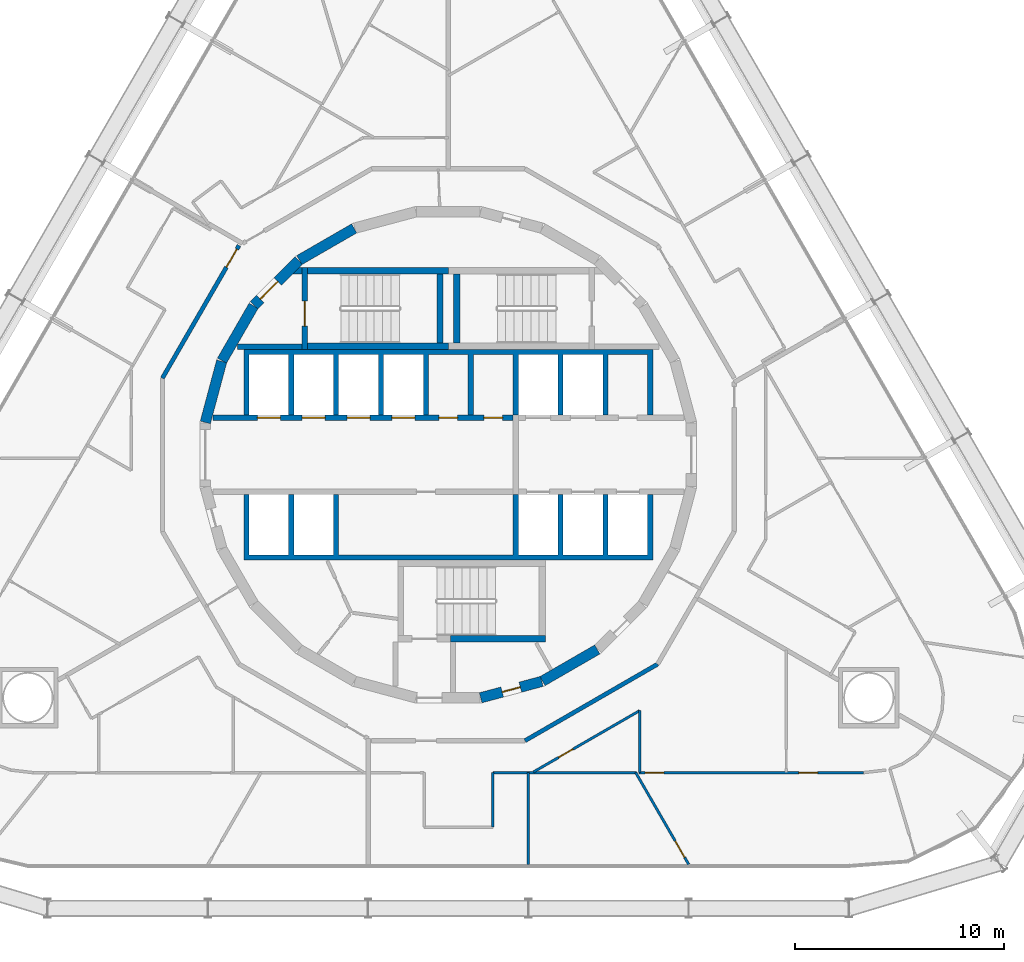
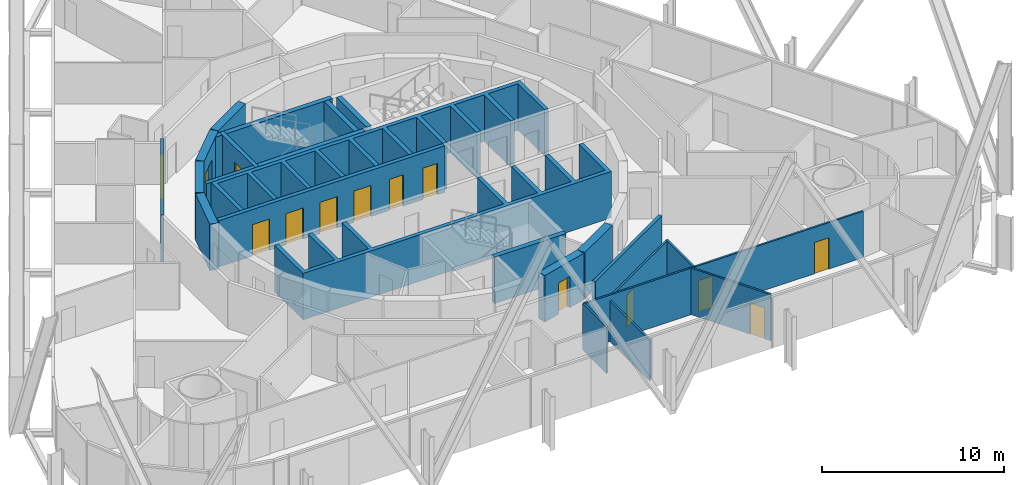
# One storey, part 16 of 21: 26 walls, 14 doors, 14 openings.
"""IFC4 building model written with IfcOpenShell, lengths in metres."""

from ifc_helpers import new_model, si_unit, direction, frame, frame_2d, origin, place, context, subcontext, project, spatial, polyline, rectangle, outline, extrude, material, layer, layer_set, type_object, element, fill, save


model = new_model("IFC4")

# Units and contexts
model_context = context("Model", 3, precision=1e-05, world=origin(), true_north=direction((0.0, 1.0)))
body_context = subcontext(model_context, "Body", "Model", "MODEL_VIEW")
ifc_project = project(units=[si_unit("LENGTHUNIT", "METRE"), si_unit("AREAUNIT", "SQUARE_METRE"), si_unit("VOLUMEUNIT", "CUBIC_METRE"), si_unit("PLANEANGLEUNIT", "RADIAN"), si_unit("MASSUNIT", "GRAM", prefix="KILO")], contexts=[model_context])

# Site, building, storey
site_placement = place(None, origin())
site = spatial("IfcSite", under=ifc_project, at=site_placement, CompositionType="ELEMENT")
building_placement = place(site_placement, origin())
building = spatial("IfcBuilding", under=site, at=building_placement, Name="Spindle Arch Residences", CompositionType="ELEMENT")
storey_placement = place(building_placement, frame((0.0, 0.0, 38.39990234375)))
storey = spatial("IfcBuildingStorey", under=building, at=storey_placement, Name="L07", CompositionType="ELEMENT", Elevation=38.39990234375)

# Wall, opening, door
ifc_material_1 = material(Name="Concrete C50/60", Category="concrete")
ifc_layer_1 = layer(ifc_material_1, 0.5)
ifc_layer_set_1 = layer_set([ifc_layer_1], Name="Core outline wall 500")
wall_type_1 = type_object("IfcWallType", Name="Core outline wall 500", PredefinedType="SHEAR", material=ifc_layer_set_1)
wall_1_placement = place(storey_placement, frame((1.5498046875, -11.642822265625, 0.0), z_axis=(0.0, 0.0, 1.0), x_axis=(0.965948410781, 0.258734743916, 0.0)))
wall_1 = element("IfcWall", 1, at=wall_1_placement, inside=storey, type_object=wall_type_1, Name="Core outline wall 1", PredefinedType="SHEAR", context=body_context, shape_type="SweptSolid", body=[
    extrude(rectangle(XDim=3.03271484375, YDim=0.5, at=frame_2d((1.516357421875, 0.0))), origin(), (0.0, 0.0, 1.0), 3.1201171875),
])
opening_1_placement = place(wall_1_placement, frame((1.06640625, 0.0, 0.0)))
opening_1 = element("IfcOpeningElement", 2, at=opening_1_placement, cuts=wall_1, Name="Opening R1A0-WD08", PredefinedType="OPENING", context=body_context, shape_type="SweptSolid", body=[
    extrude(rectangle(XDim=0.89990234375, YDim=2.10009765625, at=frame_2d((0.449951171875, 1.050048828125))), frame((0.0, 0.260009765625, 0.0), z_axis=(0.0, -1.0, 0.0), x_axis=(1.0, 0.0, 0.0)), (0.0, 0.0, 1.0), 0.52001953125),
])
ifc_material_2 = material(Name="Steel, fire-resisting door", Category="steel")
door_type_1 = type_object("IfcDoorType", Name="Service room door 900x2100", OperationType="SINGLE_SWING_LEFT", PredefinedType="DOOR", material=ifc_material_2)
door_1_placement = place(opening_1_placement, origin())
door_1 = element("IfcDoor", 3, at=door_1_placement, inside=storey, type_object=door_type_1, Name="Service room door R1A0-WD08", OperationType="SINGLE_SWING_LEFT", OverallHeight=2.10009765625, OverallWidth=0.89990234375, PredefinedType="DOOR", context=body_context, shape_type="SweptSolid", body=[
    extrude(rectangle(XDim=0.89990234375, YDim=2.10009765625, at=frame_2d((0.449951171875, 1.050048828125))), frame((0.0, 0.02490234375, 0.0), z_axis=(0.0, -1.0, 0.0), x_axis=(1.0, 0.0, 0.0)), (0.0, 0.0, 1.0), 0.050048828125),
])
fill(opening_1, door_1)

# Walls
for number, where, z_axis, x_axis, name in (
    (4, (4.510498046875, -10.84521484375, 0.0), (0.0, 0.0, 1.0), (0.865975092491, 0.500087131594, 0.0), "Core outline wall 2"),
    (5, (-4.510498046875, 10.84521484375, 0.0), (0.0, 0.0, 1.0), (-0.865975092491, -0.500087131594, 0.0), "Core outline wall 14"),
):
    element("IfcWall", number, at=place(storey_placement, frame(where, z_axis=z_axis, x_axis=x_axis)), inside=storey, type_object=wall_type_1, Name=name, PredefinedType="SHEAR", context=body_context, shape_type="SweptSolid", body=[
        extrude(rectangle(XDim=3.03271484375, YDim=0.5, at=frame_2d((1.516357421875, 0.0))), origin(), (0.0, 0.0, 1.0), 3.1201171875),
    ])

# Wall, opening, door
wall_2_placement = place(storey_placement, frame((-7.163818359375, 9.30810546875, 0.0), z_axis=(0.0, 0.0, 1.0), x_axis=(-0.707106781187, -0.707106781187, 0.0)))
wall_2 = element("IfcWall", 6, at=wall_2_placement, inside=storey, type_object=wall_type_1, Name="Core outline wall 15", PredefinedType="SHEAR", context=body_context, shape_type="SweptSolid", body=[
    extrude(rectangle(XDim=3.032470703125, YDim=0.5, at=frame_2d((1.51611328125, 0.0))), origin(), (0.0, 0.0, 1.0), 3.1201171875),
])
opening_2_placement = place(wall_2_placement, frame((1.416259765625, 0.0, 0.0)))
opening_2 = element("IfcOpeningElement", 7, at=opening_2_placement, cuts=wall_2, Name="Opening R1A0-AD02", PredefinedType="OPENING", context=body_context, shape_type="SweptSolid", body=[
    extrude(rectangle(XDim=1.199951171875, YDim=2.10009765625, at=frame_2d((0.60009765625, 1.050048828125))), frame((0.0, 0.260009765625, 0.0), z_axis=(0.0, -1.0, 0.0), x_axis=(1.0, 0.0, 0.0)), (0.0, 0.0, 1.0), 0.52001953125),
])
ifc_material_3 = material(Name="Steel, fire-resisting door", Category="steel")
door_type_2 = type_object("IfcDoorType", Name="Stair airlock door 1200x2100", OperationType="SINGLE_SWING_LEFT", PredefinedType="DOOR", material=ifc_material_3)
door_2_placement = place(opening_2_placement, origin())
door_2 = element("IfcDoor", 8, at=door_2_placement, inside=storey, type_object=door_type_2, Name="Stair airlock door R1A0-AD02", OperationType="SINGLE_SWING_RIGHT", OverallHeight=2.10009765625, OverallWidth=1.199951171875, PredefinedType="DOOR", context=body_context, shape_type="SweptSolid", body=[
    extrude(rectangle(XDim=1.199951171875, YDim=2.10009765625, at=frame_2d((0.60009765625, 1.050048828125))), frame((0.0, 0.02490234375, 0.0), z_axis=(0.0, -1.0, 0.0), x_axis=(1.0, 0.0, 0.0)), (0.0, 0.0, 1.0), 0.050048828125),
])
fill(opening_2, door_2)

# Walls
for number, where, z_axis, x_axis, name in (
    (9, (-9.32861328125, 7.13671875, 0.0), (0.0, 0.0, 1.0), (-0.500087131594, -0.865975092491, 0.0), "Core outline wall 16"),
    (10, (-10.858154296875, 4.479248046875, 0.0), (0.0, 0.0, 1.0), (-0.258734743916, -0.965948410781, 0.0), "Core outline wall 17"),
):
    element("IfcWall", number, at=place(storey_placement, frame(where, z_axis=z_axis, x_axis=x_axis)), inside=storey, type_object=wall_type_1, Name=name, PredefinedType="SHEAR", context=body_context, shape_type="SweptSolid", body=[
        extrude(rectangle(XDim=3.03271484375, YDim=0.5, at=frame_2d((1.516357421875, 0.0))), origin(), (0.0, 0.0, 1.0), 3.1201171875),
    ])

# Wall, opening, door
ifc_material_4 = material(Name="Calcium silicate block, plastered")
ifc_layer_2 = layer(ifc_material_4, 0.199951171875)
ifc_layer_set_2 = layer_set([ifc_layer_2], Name="Corridor wall 200")
wall_type_2 = type_object("IfcWallType", Name="Corridor wall 200", PredefinedType="STANDARD", material=ifc_layer_set_2)
wall_3_placement = place(storey_placement, frame((-10.029052734375, 10.029052734375, 0.0), z_axis=(0.0, 0.0, 1.0), x_axis=(-0.500001669485, -0.866024439905, 0.0)))
wall_3 = element("IfcWall", 11, at=wall_3_placement, inside=storey, type_object=wall_type_2, Name="Corridor wall R1A0-W010", PredefinedType="STANDARD", context=body_context, shape_type="SweptSolid", body=[
    extrude(rectangle(XDim=7.341796875, YDim=0.199951171875, at=frame_2d((3.6708984375, 0.0))), origin(), (0.0, 0.0, 1.0), 3.1201171875),
])
opening_3_placement = place(wall_3_placement, frame((0.199951171875, 0.0, 0.0)))
opening_3 = element("IfcOpeningElement", 12, at=opening_3_placement, cuts=wall_3, Name="Opening R1A0-FD03", PredefinedType="OPENING", context=body_context, shape_type="SweptSolid", body=[
    extrude(rectangle(XDim=1.0, YDim=2.10009765625, at=frame_2d((0.5, 1.050048828125))), frame((0.0, 0.10986328125, 0.0), z_axis=(0.0, -1.0, 0.0), x_axis=(1.0, 0.0, 0.0)), (0.0, 0.0, 1.0), 0.219970703125),
])
ifc_material_5 = material(Name="Timber, fire-resisting door set", Category="wood")
door_type_3 = type_object("IfcDoorType", Name="Flat entrance door 1000x2100", OperationType="NOTDEFINED", PredefinedType="DOOR", material=ifc_material_5)
door_3_placement = place(opening_3_placement, origin())
door_3 = element("IfcDoor", 13, at=door_3_placement, inside=storey, type_object=door_type_3, Name="Flat entrance door R1A0-FD03", OperationType="SINGLE_SWING_LEFT", OverallHeight=2.10009765625, OverallWidth=1.0, PredefinedType="DOOR", context=body_context, shape_type="SweptSolid", body=[
    extrude(rectangle(XDim=1.0, YDim=2.10009765625, at=frame_2d((0.5, 1.050048828125))), frame((0.0, 0.02490234375, 0.0), z_axis=(0.0, -1.0, 0.0), x_axis=(1.0, 0.0, 0.0)), (0.0, 0.0, 1.0), 0.050048828125),
])
fill(opening_3, door_3)

# Walls
wall_4_placement = place(storey_placement, frame((3.6708984375, -13.699951171875, 0.0), z_axis=(0.0, 0.0, 1.0), x_axis=(0.866024439905, 0.500001669485, 0.0)))
element("IfcWall", 14, at=wall_4_placement, inside=storey, type_object=wall_type_2, Name="Corridor wall R1A0-W015", PredefinedType="STANDARD", context=body_context, shape_type="SweptSolid", body=[
    extrude(rectangle(XDim=7.341796875, YDim=0.199951171875, at=frame_2d((3.6708984375, 0.0))), origin(), (0.0, 0.0, 1.0), 3.1201171875),
])
ifc_material_6 = material(Name="Plasterboard on steel studs", Category="steel")
ifc_layer_3 = layer(ifc_material_6, 0.1201171875)
ifc_layer_set_3 = layer_set([ifc_layer_3], Name="Flat partition 120")
wall_type_3 = type_object("IfcWallType", Name="Flat partition 120", PredefinedType="PARTITIONING", material=ifc_layer_set_3)
wall_5_placement = place(storey_placement, frame((2.138671875, -17.844970703125, 0.0), z_axis=(0.0, 0.0, 1.0), x_axis=(0.0, 1.0, 0.0)))
element("IfcWall", 15, at=wall_5_placement, inside=storey, type_object=wall_type_3, Name="Flat partition R1A0-W087", PredefinedType="PARTITIONING", context=body_context, shape_type="SweptSolid", body=[
    extrude(rectangle(XDim=2.614990234375, YDim=0.1201171875, at=frame_2d((1.3076171875, 0.0))), origin(), (0.0, 0.0, 1.0), 3.1201171875),
])
wall_6_placement = place(storey_placement, frame((2.138671875, -15.22998046875, 0.0), z_axis=(0.0, 0.0, 1.0), x_axis=(1.0, 0.0, 0.0)))
element("IfcWall", 16, at=wall_6_placement, inside=storey, type_object=wall_type_3, Name="Flat partition R1A0-W088", PredefinedType="PARTITIONING", context=body_context, shape_type="SweptSolid", body=[
    extrude(rectangle(XDim=6.88720703125, YDim=0.1201171875, at=frame_2d((3.443603515625, 0.0))), origin(), (0.0, 0.0, 1.0), 3.1201171875),
])

# Wall, opening, door
wall_7_placement = place(storey_placement, frame((4.07275390625, -15.199951171875, 0.0), z_axis=(0.0, 0.0, 1.0), x_axis=(0.866034128446, 0.499984888139, 0.0)))
wall_7 = element("IfcWall", 17, at=wall_7_placement, inside=storey, type_object=wall_type_3, Name="Flat partition R1A0-W089", PredefinedType="PARTITIONING", context=body_context, shape_type="SweptSolid", body=[
    extrude(rectangle(XDim=5.878662109375, YDim=0.1201171875, at=frame_2d((2.939453125, 0.0))), origin(), (0.0, 0.0, 1.0), 3.1201171875),
])
opening_4_placement = place(wall_7_placement, frame((1.39990234375, 0.0, 0.0)))
opening_4 = element("IfcOpeningElement", 18, at=opening_4_placement, cuts=wall_7, Name="Opening R1A0-BD06", PredefinedType="OPENING", context=body_context, shape_type="SweptSolid", body=[
    extrude(rectangle(XDim=0.800048828125, YDim=2.10009765625, at=frame_2d((0.39990234375, 1.050048828125))), frame((0.0, 0.070068359375, 0.0), z_axis=(0.0, -1.0, 0.0), x_axis=(1.0, 0.0, 0.0)), (0.0, 0.0, 1.0), 0.14013671875),
])
ifc_material_7 = material(Name="Timber door set", Category="wood")
door_type_4 = type_object("IfcDoorType", Name="Bathroom door 800x2100", OperationType="NOTDEFINED", PredefinedType="DOOR", material=ifc_material_7)
door_4_placement = place(opening_4_placement, origin())
door_4 = element("IfcDoor", 19, at=door_4_placement, inside=storey, type_object=door_type_4, Name="Bathroom door R1A0-BD06", OperationType="SINGLE_SWING_RIGHT", OverallHeight=2.10009765625, OverallWidth=0.800048828125, PredefinedType="DOOR", context=body_context, shape_type="SweptSolid", body=[
    extrude(rectangle(XDim=0.800048828125, YDim=2.10009765625, at=frame_2d((0.39990234375, 1.050048828125))), frame((0.0, 0.02490234375, 0.0), z_axis=(0.0, -1.0, 0.0), x_axis=(1.0, 0.0, 0.0)), (0.0, 0.0, 1.0), 0.050048828125),
])
fill(opening_4, door_4)

# Wall
wall_8_placement = place(storey_placement, frame((9.163818359375, -12.2607421875, 0.0), z_axis=(0.0, 0.0, 1.0), x_axis=(0.0, -1.0, 0.0)))
element("IfcWall", 20, at=wall_8_placement, inside=storey, type_object=wall_type_3, Name="Flat partition R1A0-W090", PredefinedType="PARTITIONING", context=body_context, shape_type="SweptSolid", body=[
    extrude(rectangle(XDim=2.96923828125, YDim=0.1201171875, at=frame_2d((1.484619140625, 0.0))), origin(), (0.0, 0.0, 1.0), 3.1201171875),
])

# Wall, openings, doors
wall_9_placement = place(storey_placement, frame((9.123779296875, -15.22998046875, 0.0), z_axis=(0.0, 0.0, 1.0), x_axis=(1.0, 0.0, 0.0)))
wall_9 = element("IfcWall", 21, at=wall_9_placement, inside=storey, type_object=wall_type_3, Name="Flat partition R1A0-W091", PredefinedType="PARTITIONING", context=body_context, shape_type="SweptSolid", body=[
    extrude(rectangle(XDim=10.763671875, YDim=0.1201171875, at=frame_2d((5.3818359375, 0.0))), origin(), (0.0, 0.0, 1.0), 3.1201171875),
])
opening_5_placement = place(wall_9_placement, frame((0.300048828125, 0.0, 0.0)))
opening_5 = element("IfcOpeningElement", 22, at=opening_5_placement, cuts=wall_9, Name="Opening R1A0-ID25", PredefinedType="OPENING", context=body_context, shape_type="SweptSolid", body=[
    extrude(rectangle(XDim=0.89990234375, YDim=2.10009765625, at=frame_2d((0.449951171875, 1.050048828125))), frame((0.0, 0.070068359375, 0.0), z_axis=(0.0, -1.0, 0.0), x_axis=(1.0, 0.0, 0.0)), (0.0, 0.0, 1.0), 0.14013671875),
])
opening_6_placement = place(wall_9_placement, frame((7.665283203125, 0.0, 0.0)))
opening_6 = element("IfcOpeningElement", 23, at=opening_6_placement, cuts=wall_9, Name="Opening R1A0-ID29", PredefinedType="OPENING", context=body_context, shape_type="SweptSolid", body=[
    extrude(rectangle(XDim=0.89990234375, YDim=2.10009765625, at=frame_2d((0.449951171875, 1.050048828125))), frame((0.0, 0.070068359375, 0.0), z_axis=(0.0, -1.0, 0.0), x_axis=(1.0, 0.0, 0.0)), (0.0, 0.0, 1.0), 0.14013671875),
])
ifc_material_8 = material(Name="Timber door set", Category="wood")
door_type_5 = type_object("IfcDoorType", Name="Room door 900x2100", OperationType="NOTDEFINED", PredefinedType="DOOR", material=ifc_material_8)
door_5_placement = place(opening_5_placement, origin())
door_5 = element("IfcDoor", 24, at=door_5_placement, inside=storey, type_object=door_type_5, Name="Room door R1A0-ID25", OperationType="SINGLE_SWING_RIGHT", OverallHeight=2.10009765625, OverallWidth=0.89990234375, PredefinedType="DOOR", context=body_context, shape_type="SweptSolid", body=[
    extrude(rectangle(XDim=0.89990234375, YDim=2.10009765625, at=frame_2d((0.449951171875, 1.050048828125))), frame((0.0, 0.02490234375, 0.0), z_axis=(0.0, -1.0, 0.0), x_axis=(1.0, 0.0, 0.0)), (0.0, 0.0, 1.0), 0.050048828125),
])
fill(opening_5, door_5)
door_6_placement = place(opening_6_placement, origin())
door_6 = element("IfcDoor", 25, at=door_6_placement, inside=storey, type_object=door_type_5, Name="Room door R1A0-ID29", OperationType="SINGLE_SWING_LEFT", OverallHeight=2.10009765625, OverallWidth=0.89990234375, PredefinedType="DOOR", context=body_context, shape_type="SweptSolid", body=[
    extrude(rectangle(XDim=0.89990234375, YDim=2.10009765625, at=frame_2d((0.449951171875, 1.050048828125))), frame((0.0, 0.02490234375, 0.0), z_axis=(0.0, -1.0, 0.0), x_axis=(1.0, 0.0, 0.0)), (0.0, 0.0, 1.0), 0.050048828125),
])
fill(opening_6, door_6)

# Wall, opening, door
wall_10_placement = place(storey_placement, frame((11.52001953125, -19.6298828125, 0.0), z_axis=(0.0, 0.0, 1.0), x_axis=(-0.499999763888, 0.866025540104, 0.0)))
wall_10 = element("IfcWall", 26, at=wall_10_placement, inside=storey, type_object=wall_type_3, Name="Flat partition R1A0-W094", PredefinedType="PARTITIONING", context=body_context, shape_type="SweptSolid", body=[
    extrude(rectangle(XDim=5.08056640625, YDim=0.1201171875, at=frame_2d((2.540283203125, 0.0))), origin(), (0.0, 0.0, 1.0), 3.1201171875),
])
opening_7_placement = place(wall_10_placement, frame((0.39990234375, 0.0, 0.0)))
opening_7 = element("IfcOpeningElement", 27, at=opening_7_placement, cuts=wall_10, Name="Opening R1A0-ID27", PredefinedType="OPENING", context=body_context, shape_type="SweptSolid", body=[
    extrude(rectangle(XDim=0.89990234375, YDim=2.10009765625, at=frame_2d((0.449951171875, 1.050048828125))), frame((0.0, 0.070068359375, 0.0), z_axis=(0.0, -1.0, 0.0), x_axis=(1.0, 0.0, 0.0)), (0.0, 0.0, 1.0), 0.14013671875),
])
door_7_placement = place(opening_7_placement, origin())
door_7 = element("IfcDoor", 28, at=door_7_placement, inside=storey, type_object=door_type_5, Name="Room door R1A0-ID27", OperationType="SINGLE_SWING_LEFT", OverallHeight=2.10009765625, OverallWidth=0.89990234375, PredefinedType="DOOR", context=body_context, shape_type="SweptSolid", body=[
    extrude(rectangle(XDim=0.89990234375, YDim=2.10009765625, at=frame_2d((0.449951171875, 1.050048828125))), frame((0.0, 0.02490234375, 0.0), z_axis=(0.0, -1.0, 0.0), x_axis=(1.0, 0.0, 0.0)), (0.0, 0.0, 1.0), 0.050048828125),
])
fill(opening_7, door_7)

# Wall
ifc_material_9 = material(Name="Plasterboard on steel studs", Category="steel")
ifc_layer_4 = layer(ifc_material_9, 0.1201171875)
ifc_layer_set_4 = layer_set([ifc_layer_4], Name="Flat partition 120 under beam 2730")
wall_type_4 = type_object("IfcWallType", Name="Flat partition 120 under beam 2730", PredefinedType="PARTITIONING", material=ifc_layer_set_4)
wall_11_placement = place(storey_placement, frame((3.840087890625, -19.6298828125, 0.0), z_axis=(0.0, 0.0, 1.0), x_axis=(0.0, 1.0, 0.0)))
element("IfcWall", 29, at=wall_11_placement, inside=storey, type_object=wall_type_4, Name="Flat partition R1A0-W093", PredefinedType="PARTITIONING", context=body_context, shape_type="SweptSolid", body=[
    extrude(rectangle(XDim=4.39990234375, YDim=0.1201171875, at=frame_2d((2.199951171875, 0.0))), origin(), (0.0, 0.0, 1.0), 2.72998046875),
])

# Wall, openings, doors
ifc_material_10 = material(Name="Concrete C50/60", Category="concrete")
ifc_layer_5 = layer(ifc_material_10, 0.25)
ifc_layer_set_5 = layer_set([ifc_layer_5], Name="Lift shaft wall 250")
wall_type_5 = type_object("IfcWallType", Name="Lift shaft wall 250", PredefinedType="SHEAR", material=ifc_layer_set_5)
wall_12_placement = place(storey_placement, frame((-11.280029296875, 1.77490234375, 0.0), z_axis=(0.0, 0.0, 1.0), x_axis=(1.0, 0.0, 0.0)))
wall_12 = element("IfcWall", 30, at=wall_12_placement, inside=storey, type_object=wall_type_5, Name="Lift shaft front wall NW", PredefinedType="SHEAR", context=body_context, shape_type="SweptSolid", body=[
    extrude(rectangle(XDim=14.380126953125, YDim=0.25, at=frame_2d((7.18994140625, 0.0))), origin(), (0.0, 0.0, 1.0), 3.1201171875),
])
opening_8_placement = place(wall_12_placement, frame((2.1298828125, 0.0, 0.0)))
opening_8 = element("IfcOpeningElement", 31, at=opening_8_placement, cuts=wall_12, Name="Opening R1A0-LD01", PredefinedType="OPENING", context=body_context, shape_type="SweptSolid", body=[
    extrude(rectangle(XDim=1.10009765625, YDim=2.10009765625, at=frame_2d((0.550048828125, 1.050048828125))), frame((0.0, 0.135009765625, 0.0), z_axis=(0.0, -1.0, 0.0), x_axis=(1.0, 0.0, 0.0)), (0.0, 0.0, 1.0), 0.27001953125),
])
opening_9_placement = place(wall_12_placement, frame((4.280029296875, 0.0, 0.0)))
opening_9 = element("IfcOpeningElement", 32, at=opening_9_placement, cuts=wall_12, Name="Opening R1A0-LD02", PredefinedType="OPENING", context=body_context, shape_type="SweptSolid", body=[
    extrude(rectangle(XDim=1.10009765625, YDim=2.10009765625, at=frame_2d((0.550048828125, 1.050048828125))), frame((0.0, 0.135009765625, 0.0), z_axis=(0.0, -1.0, 0.0), x_axis=(1.0, 0.0, 0.0)), (0.0, 0.0, 1.0), 0.27001953125),
])
opening_10_placement = place(wall_12_placement, frame((6.429931640625, 0.0, 0.0)))
opening_10 = element("IfcOpeningElement", 33, at=opening_10_placement, cuts=wall_12, Name="Opening R1A0-LD03", PredefinedType="OPENING", context=body_context, shape_type="SweptSolid", body=[
    extrude(rectangle(XDim=1.10009765625, YDim=2.10009765625, at=frame_2d((0.550048828125, 1.050048828125))), frame((0.0, 0.135009765625, 0.0), z_axis=(0.0, -1.0, 0.0), x_axis=(1.0, 0.0, 0.0)), (0.0, 0.0, 1.0), 0.27001953125),
])
opening_11_placement = place(wall_12_placement, frame((8.580078125, 0.0, 0.0)))
opening_11 = element("IfcOpeningElement", 34, at=opening_11_placement, cuts=wall_12, Name="Opening R1A0-LD04", PredefinedType="OPENING", context=body_context, shape_type="SweptSolid", body=[
    extrude(rectangle(XDim=1.10009765625, YDim=2.10009765625, at=frame_2d((0.550048828125, 1.050048828125))), frame((0.0, 0.135009765625, 0.0), z_axis=(0.0, -1.0, 0.0), x_axis=(1.0, 0.0, 0.0)), (0.0, 0.0, 1.0), 0.27001953125),
])
opening_12_placement = place(wall_12_placement, frame((10.830078125, 0.0, 0.0)))
opening_12 = element("IfcOpeningElement", 35, at=opening_12_placement, cuts=wall_12, Name="Opening R1A0-WD01", PredefinedType="OPENING", context=body_context, shape_type="SweptSolid", body=[
    extrude(rectangle(XDim=0.89990234375, YDim=2.10009765625, at=frame_2d((0.449951171875, 1.050048828125))), frame((0.0, 0.135009765625, 0.0), z_axis=(0.0, -1.0, 0.0), x_axis=(1.0, 0.0, 0.0)), (0.0, 0.0, 1.0), 0.27001953125),
])
opening_13_placement = place(wall_12_placement, frame((12.97998046875, 0.0, 0.0)))
opening_13 = element("IfcOpeningElement", 36, at=opening_13_placement, cuts=wall_12, Name="Opening R1A0-WD02", PredefinedType="OPENING", context=body_context, shape_type="SweptSolid", body=[
    extrude(rectangle(XDim=0.89990234375, YDim=2.10009765625, at=frame_2d((0.449951171875, 1.050048828125))), frame((0.0, 0.135009765625, 0.0), z_axis=(0.0, -1.0, 0.0), x_axis=(1.0, 0.0, 0.0)), (0.0, 0.0, 1.0), 0.27001953125),
])
ifc_material_11 = material(Name="Steel, fire-resisting landing door", Category="steel")
door_type_6 = type_object("IfcDoorType", Name="Lift landing door 1100x2100", OperationType="DOUBLE_DOOR_SLIDING", PredefinedType="DOOR", material=ifc_material_11)
door_8_placement = place(opening_8_placement, origin())
door_8 = element("IfcDoor", 37, at=door_8_placement, inside=storey, type_object=door_type_6, Name="Lift landing door R1A0-LD01", OperationType="DOUBLE_DOOR_SLIDING", OverallHeight=2.10009765625, OverallWidth=1.10009765625, PredefinedType="DOOR", context=body_context, shape_type="SweptSolid", body=[
    extrude(rectangle(XDim=1.10009765625, YDim=2.10009765625, at=frame_2d((0.550048828125, 1.050048828125))), frame((0.0, 0.02490234375, 0.0), z_axis=(0.0, -1.0, 0.0), x_axis=(1.0, 0.0, 0.0)), (0.0, 0.0, 1.0), 0.050048828125),
])
fill(opening_8, door_8)
door_9_placement = place(opening_9_placement, origin())
door_9 = element("IfcDoor", 38, at=door_9_placement, inside=storey, type_object=door_type_6, Name="Lift landing door R1A0-LD02", OperationType="DOUBLE_DOOR_SLIDING", OverallHeight=2.10009765625, OverallWidth=1.10009765625, PredefinedType="DOOR", context=body_context, shape_type="SweptSolid", body=[
    extrude(rectangle(XDim=1.10009765625, YDim=2.10009765625, at=frame_2d((0.550048828125, 1.050048828125))), frame((0.0, 0.02490234375, 0.0), z_axis=(0.0, -1.0, 0.0), x_axis=(1.0, 0.0, 0.0)), (0.0, 0.0, 1.0), 0.050048828125),
])
fill(opening_9, door_9)
door_10_placement = place(opening_10_placement, origin())
door_10 = element("IfcDoor", 39, at=door_10_placement, inside=storey, type_object=door_type_6, Name="Lift landing door R1A0-LD03", OperationType="DOUBLE_DOOR_SLIDING", OverallHeight=2.10009765625, OverallWidth=1.10009765625, PredefinedType="DOOR", context=body_context, shape_type="SweptSolid", body=[
    extrude(rectangle(XDim=1.10009765625, YDim=2.10009765625, at=frame_2d((0.550048828125, 1.050048828125))), frame((0.0, 0.02490234375, 0.0), z_axis=(0.0, -1.0, 0.0), x_axis=(1.0, 0.0, 0.0)), (0.0, 0.0, 1.0), 0.050048828125),
])
fill(opening_10, door_10)
door_11_placement = place(opening_11_placement, origin())
door_11 = element("IfcDoor", 40, at=door_11_placement, inside=storey, type_object=door_type_6, Name="Lift landing door R1A0-LD04", OperationType="DOUBLE_DOOR_SLIDING", OverallHeight=2.10009765625, OverallWidth=1.10009765625, PredefinedType="DOOR", context=body_context, shape_type="SweptSolid", body=[
    extrude(rectangle(XDim=1.10009765625, YDim=2.10009765625, at=frame_2d((0.550048828125, 1.050048828125))), frame((0.0, 0.02490234375, 0.0), z_axis=(0.0, -1.0, 0.0), x_axis=(1.0, 0.0, 0.0)), (0.0, 0.0, 1.0), 0.050048828125),
])
fill(opening_11, door_11)
door_12_placement = place(opening_12_placement, origin())
door_12 = element("IfcDoor", 41, at=door_12_placement, inside=storey, type_object=door_type_1, Name="Service room door R1A0-WD01", OperationType="SINGLE_SWING_RIGHT", OverallHeight=2.10009765625, OverallWidth=0.89990234375, PredefinedType="DOOR", context=body_context, shape_type="SweptSolid", body=[
    extrude(rectangle(XDim=0.89990234375, YDim=2.10009765625, at=frame_2d((0.449951171875, 1.050048828125))), frame((0.0, 0.02490234375, 0.0), z_axis=(0.0, -1.0, 0.0), x_axis=(1.0, 0.0, 0.0)), (0.0, 0.0, 1.0), 0.050048828125),
])
fill(opening_12, door_12)
door_13_placement = place(opening_13_placement, origin())
door_13 = element("IfcDoor", 42, at=door_13_placement, inside=storey, type_object=door_type_1, Name="Service room door R1A0-WD02", OperationType="SINGLE_SWING_LEFT", OverallHeight=2.10009765625, OverallWidth=0.89990234375, PredefinedType="DOOR", context=body_context, shape_type="SweptSolid", body=[
    extrude(rectangle(XDim=0.89990234375, YDim=2.10009765625, at=frame_2d((0.449951171875, 1.050048828125))), frame((0.0, 0.02490234375, 0.0), z_axis=(0.0, -1.0, 0.0), x_axis=(1.0, 0.0, 0.0)), (0.0, 0.0, 1.0), 0.050048828125),
])
fill(opening_13, door_13)

# Walls
ifc_material_12 = material(Name="Concrete C50/60", Category="concrete")
wall_type_6 = type_object("IfcWallType", Name="Lift shaft wall profile", PredefinedType="SHEAR", material=ifc_material_12)
wall_13_placement = place(storey_placement, origin())
element("IfcWall", 43, at=wall_13_placement, inside=storey, type_object=wall_type_6, Name="Lift shaft walls N", PredefinedType="SHEAR", context=body_context, shape_type="SweptSolid", body=[
    extrude(outline(polyline([(-9.550048828125, 4.800048828125), (-7.64990234375, 4.800048828125), (-7.64990234375, 1.89990234375), (-7.39990234375, 1.89990234375), (-7.39990234375, 4.800048828125), (-5.5, 4.800048828125), (-5.5, 1.89990234375), (-5.25, 1.89990234375), (-5.25, 4.800048828125), (-3.35009765625, 4.800048828125), (-3.35009765625, 1.89990234375), (-3.10009765625, 1.89990234375), (-3.10009765625, 4.800048828125), (-1.199951171875, 4.800048828125), (-1.199951171875, 1.89990234375), (-0.949951171875, 1.89990234375), (-0.949951171875, 4.800048828125), (0.949951171875, 4.800048828125), (0.949951171875, 1.89990234375), (1.199951171875, 1.89990234375), (1.199951171875, 4.800048828125), (3.10009765625, 4.800048828125), (3.10009765625, 1.89990234375), (3.35009765625, 1.89990234375), (3.35009765625, 4.800048828125), (5.25, 4.800048828125), (5.25, 1.89990234375), (5.5, 1.89990234375), (5.5, 4.800048828125), (7.39990234375, 4.800048828125), (7.39990234375, 1.89990234375), (7.64990234375, 1.89990234375), (7.64990234375, 4.800048828125), (9.550048828125, 4.800048828125), (9.550048828125, 1.89990234375), (9.800048828125, 1.89990234375), (9.800048828125, 4.800048828125), (9.800048828125, 5.050048828125), (-9.800048828125, 5.050048828125), (-9.800048828125, 4.800048828125), (-9.800048828125, 1.89990234375), (-9.550048828125, 1.89990234375), (-9.550048828125, 4.800048828125)])), origin(), (0.0, 0.0, 1.0), 3.1201171875),
])
wall_14_placement = place(storey_placement, origin())
element("IfcWall", 44, at=wall_14_placement, inside=storey, type_object=wall_type_6, Name="Lift shaft walls S", PredefinedType="SHEAR", context=body_context, shape_type="SweptSolid", body=[
    extrude(outline(polyline([(9.800048828125, -5.050048828125), (9.800048828125, -4.800048828125), (9.800048828125, -1.89990234375), (9.550048828125, -1.89990234375), (9.550048828125, -4.800048828125), (7.64990234375, -4.800048828125), (7.64990234375, -1.89990234375), (7.39990234375, -1.89990234375), (7.39990234375, -4.800048828125), (5.5, -4.800048828125), (5.5, -1.89990234375), (5.25, -1.89990234375), (5.25, -4.800048828125), (3.35009765625, -4.800048828125), (3.35009765625, -1.89990234375), (3.10009765625, -1.89990234375), (3.10009765625, -4.800048828125), (-5.25, -4.800048828125), (-5.25, -1.89990234375), (-5.5, -1.89990234375), (-5.5, -4.800048828125), (-7.39990234375, -4.800048828125), (-7.39990234375, -1.89990234375), (-7.64990234375, -1.89990234375), (-7.64990234375, -4.800048828125), (-9.550048828125, -4.800048828125), (-9.550048828125, -1.89990234375), (-9.800048828125, -1.89990234375), (-9.800048828125, -4.800048828125), (-9.800048828125, -5.050048828125), (9.800048828125, -5.050048828125)])), origin(), (0.0, 0.0, 1.0), 3.1201171875),
])
ifc_material_13 = material(Name="Concrete C40/50", Category="concrete")
ifc_layer_6 = layer(ifc_material_13, 0.25)
ifc_layer_set_6 = layer_set([ifc_layer_6], Name="Stair airlock wall 250")
wall_type_7 = type_object("IfcWallType", Name="Stair airlock wall 250", PredefinedType="SHEAR", material=ifc_layer_set_6)
wall_15_placement = place(storey_placement, frame((-7.0, 5.175048828125, 0.0), z_axis=(0.0, 0.0, 1.0), x_axis=(-1.0, 0.0, 0.0)))
element("IfcWall", 45, at=wall_15_placement, inside=storey, type_object=wall_type_7, Name="Stair ST-2 airlock wall S", PredefinedType="SHEAR", context=body_context, shape_type="SweptSolid", body=[
    extrude(rectangle(XDim=3.10009765625, YDim=0.25, at=frame_2d((1.550048828125, 0.0))), origin(), (0.0, 0.0, 1.0), 3.1201171875),
])
ifc_material_14 = material(Name="Concrete C40/50", Category="concrete")
wall_type_8 = type_object("IfcWallType", Name="Stair airlock wall profile", PredefinedType="SHEAR", material=ifc_material_14)
wall_16_placement = place(storey_placement, origin())
element("IfcWall", 46, at=wall_16_placement, inside=storey, type_object=wall_type_8, Name="Stair ST-2 airlock wall N", PredefinedType="SHEAR", context=body_context, shape_type="SweptSolid", body=[
    extrude(outline(polyline([(-7.148193359375, 8.969970703125), (-7.0, 8.969970703125), (-7.0, 8.669921875), (-7.4482421875, 8.669921875), (-7.148193359375, 8.969970703125)])), origin(), (0.0, 0.0, 1.0), 3.1201171875),
])

# Wall, opening, door
ifc_material_15 = material(Name="Concrete C50/60", Category="concrete")
ifc_layer_7 = layer(ifc_material_15, 0.25)
ifc_layer_set_7 = layer_set([ifc_layer_7], Name="Stair enclosure wall 250")
wall_type_9 = type_object("IfcWallType", Name="Stair enclosure wall 250", PredefinedType="SHEAR", material=ifc_layer_set_7)
wall_17_placement = place(storey_placement, frame((-6.875, 8.969970703125, 0.0), z_axis=(0.0, 0.0, 1.0), x_axis=(0.0, -1.0, 0.0)))
wall_17 = element("IfcWall", 47, at=wall_17_placement, inside=storey, type_object=wall_type_9, Name="Stair ST-2 door wall", PredefinedType="SHEAR", context=body_context, shape_type="SweptSolid", body=[
    extrude(rectangle(XDim=3.919921875, YDim=0.25, at=frame_2d((1.9599609375, 0.0))), origin(), (0.0, 0.0, 1.0), 3.1201171875),
])
opening_14_placement = place(wall_17_placement, frame((1.610107421875, 0.0, 0.0)))
opening_14 = element("IfcOpeningElement", 48, at=opening_14_placement, cuts=wall_17, Name="Opening R1A0-SD02", PredefinedType="OPENING", context=body_context, shape_type="SweptSolid", body=[
    extrude(rectangle(XDim=1.199951171875, YDim=2.10009765625, at=frame_2d((0.60009765625, 1.050048828125))), frame((0.0, 0.135009765625, 0.0), z_axis=(0.0, -1.0, 0.0), x_axis=(1.0, 0.0, 0.0)), (0.0, 0.0, 1.0), 0.27001953125),
])
ifc_material_16 = material(Name="Steel, fire-resisting door", Category="steel")
door_type_7 = type_object("IfcDoorType", Name="Stair door 1200x2100", OperationType="SINGLE_SWING_RIGHT", PredefinedType="DOOR", material=ifc_material_16)
door_14_placement = place(opening_14_placement, origin())
door_14 = element("IfcDoor", 49, at=door_14_placement, inside=storey, type_object=door_type_7, Name="Stair door R1A0-SD02", OperationType="SINGLE_SWING_LEFT", OverallHeight=2.10009765625, OverallWidth=1.199951171875, PredefinedType="DOOR", context=body_context, shape_type="SweptSolid", body=[
    extrude(rectangle(XDim=1.199951171875, YDim=2.10009765625, at=frame_2d((0.60009765625, 1.050048828125))), frame((0.0, 0.02490234375, 0.0), z_axis=(0.0, -1.0, 0.0), x_axis=(1.0, 0.0, 0.0)), (0.0, 0.0, 1.0), 0.050048828125),
])
fill(opening_14, door_14)

# Walls
ifc_material_17 = material(Name="Concrete C50/60", Category="concrete")
ifc_layer_8 = layer(ifc_material_17, 0.300048828125)
ifc_layer_set_8 = layer_set([ifc_layer_8], Name="Stair enclosure wall 300")
wall_type_10 = type_object("IfcWallType", Name="Stair enclosure wall 300", PredefinedType="SHEAR", material=ifc_layer_set_8)
wall_18_placement = place(storey_placement, frame((0.39990234375, 5.35009765625, 0.0), z_axis=(0.0, 0.0, 1.0), x_axis=(0.0, 1.0, 0.0)))
element("IfcWall", 50, at=wall_18_placement, inside=storey, type_object=wall_type_10, Name="Stair ST-1 enclosure wall F", PredefinedType="SHEAR", context=body_context, shape_type="SweptSolid", body=[
    extrude(rectangle(XDim=3.31982421875, YDim=0.300048828125, at=frame_2d((1.659912109375, 0.0))), origin(), (0.0, 0.0, 1.0), 3.1201171875),
])
for number, where, z_axis, x_axis, name in (
    (51, (-6.75, 5.199951171875, 0.0), (0.0, 0.0, 1.0), (1.0, 0.0, 0.0), "Stair ST-2 enclosure wall S"),
    (52, (-6.75, 8.820068359375, 0.0), (0.0, 0.0, 1.0), (1.0, 0.0, 0.0), "Stair ST-2 enclosure wall N"),
):
    element("IfcWall", number, at=place(storey_placement, frame(where, z_axis=z_axis, x_axis=x_axis)), inside=storey, type_object=wall_type_10, Name=name, PredefinedType="SHEAR", context=body_context, shape_type="SweptSolid", body=[
        extrude(rectangle(XDim=6.75, YDim=0.300048828125, at=frame_2d((3.375, 0.0))), origin(), (0.0, 0.0, 1.0), 3.1201171875),
    ])
wall_19_placement = place(storey_placement, frame((-0.39990234375, 5.35009765625, 0.0), z_axis=(0.0, 0.0, 1.0), x_axis=(0.0, 1.0, 0.0)))
element("IfcWall", 53, at=wall_19_placement, inside=storey, type_object=wall_type_10, Name="Stair ST-2 enclosure wall F", PredefinedType="SHEAR", context=body_context, shape_type="SweptSolid", body=[
    extrude(rectangle(XDim=3.31982421875, YDim=0.300048828125, at=frame_2d((1.659912109375, 0.0))), origin(), (0.0, 0.0, 1.0), 3.1201171875),
])
wall_20_placement = place(storey_placement, frame((0.10009765625, -8.820068359375, 0.0), z_axis=(0.0, 0.0, 1.0), x_axis=(1.0, 0.0, 0.0)))
element("IfcWall", 54, at=wall_20_placement, inside=storey, type_object=wall_type_10, Name="Stair ST-3 enclosure wall S", PredefinedType="SHEAR", context=body_context, shape_type="SweptSolid", body=[
    extrude(rectangle(XDim=4.5498046875, YDim=0.300048828125, at=frame_2d((2.27490234375, 0.0))), origin(), (0.0, 0.0, 1.0), 3.1201171875),
])

save(model, "model.ifc")
